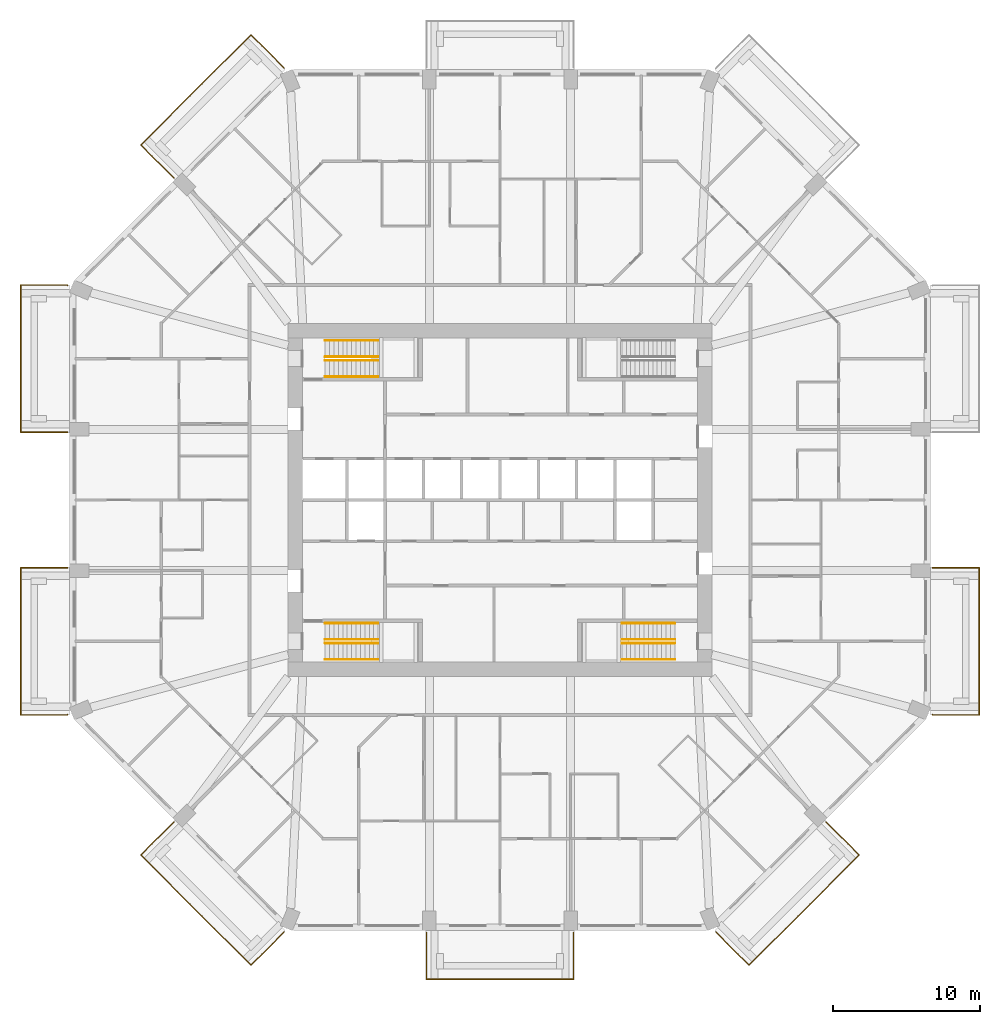
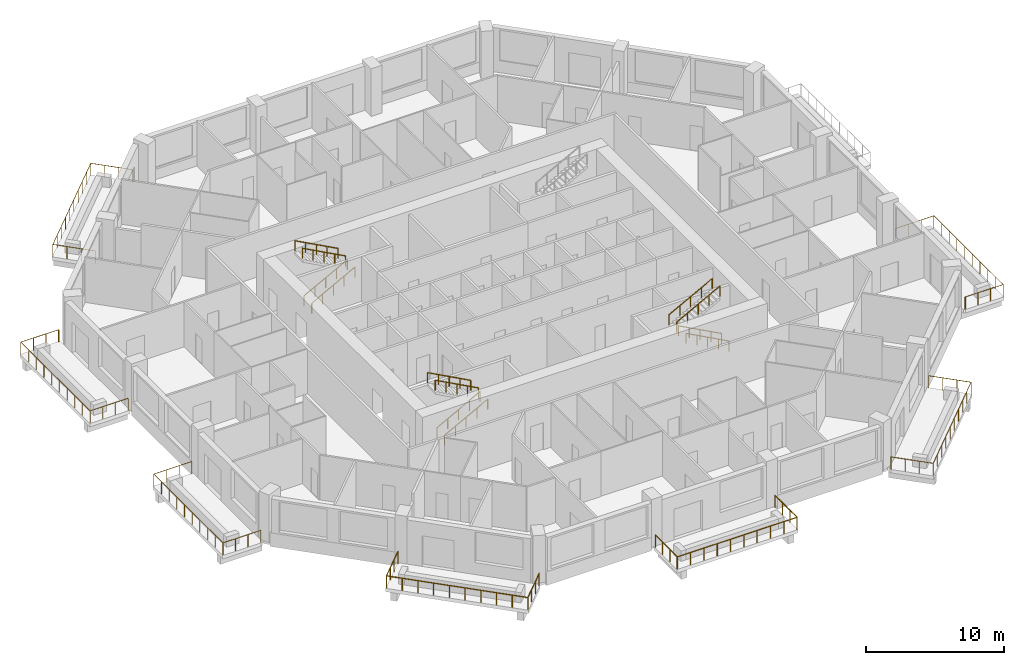
# One storey, part 12 of 13: 19 railings.
"""IFC4 building model written with IfcOpenShell, lengths in metres."""

from ifc_helpers import new_model, si_unit, direction, frame, origin, origin_2d, place, context, subcontext, project, spatial, circle, extrude, material, constituent, constituent_set, type_object, element, save


model = new_model("IFC4")

# Units and contexts
model_context = context("Model", 3, precision=1e-05, world=origin(), true_north=direction((0.0, 1.0)))
body_context = subcontext(model_context, "Body", "Model", "MODEL_VIEW")
ifc_project = project(units=[si_unit("LENGTHUNIT", "METRE"), si_unit("AREAUNIT", "SQUARE_METRE"), si_unit("VOLUMEUNIT", "CUBIC_METRE"), si_unit("PLANEANGLEUNIT", "RADIAN"), si_unit("MASSUNIT", "GRAM", prefix="KILO")], contexts=[model_context])

# Site, building, storey
site_placement = place(None, origin())
site = spatial("IfcSite", under=ifc_project, at=site_placement, CompositionType="ELEMENT")
building_placement = place(site_placement, origin())
building = spatial("IfcBuilding", under=site, at=building_placement, Name="Msitu Wima Residences", CompositionType="ELEMENT")
storey_placement = place(building_placement, frame((0.0, 0.0, 29.699951171875)))
storey = spatial("IfcBuildingStorey", under=building, at=storey_placement, Name="L06", CompositionType="ELEMENT", Elevation=29.699951171875)

# Railings
ifc_material_1 = material(Name="Steel S355", Category="steel")
ifc_constituent_1 = constituent(ifc_material_1, Name="Steel S355")
ifc_material_2 = material(Name="Weathering patina")
ifc_constituent_2 = constituent(ifc_material_2, Name="Weathering patina")
ifc_constituent_set_1 = constituent_set(constituents=[ifc_constituent_1, ifc_constituent_2], Name="Steel S355")
railing_type_1 = type_object("IfcRailingType", Name="Balcony guard GR1100", PredefinedType="GUARDRAIL", material=ifc_constituent_set_1)
railing_1_placement = place(storey_placement, frame((29.3798828125, -4.60009765625, 0.0)))
element("IfcRailing", 1, at=railing_1_placement, inside=storey, type_object=railing_type_1, Name="Balcony guard E0 L06", PredefinedType="GUARDRAIL", context=body_context, shape_type="SweptSolid", body=[
    extrude(circle(Radius=0.02392578125, at=origin_2d()), frame((0.0, 0.0, 1.076171875), z_axis=(1.0, 0.0, 0.0), x_axis=(0.0, 1.0, 0.0)), (0.0, 0.0, 1.0), 3.170166015625),
    extrude(circle(Radius=0.02392578125, at=origin_2d()), frame((3.170166015625, 0.0, 1.076171875), z_axis=(0.0, -1.0, 0.0), x_axis=(1.0, 0.0, 0.0)), (0.0, 0.0, 1.0), 10.0),
    extrude(circle(Radius=0.02392578125, at=origin_2d()), frame((3.170166015625, -10.0, 1.076171875), z_axis=(-1.0, 0.0, 0.0), x_axis=(0.0, -1.0, 0.0)), (0.0, 0.0, 1.0), 3.136474609375),
    extrude(circle(Radius=0.02392578125, at=origin_2d()), frame((0.03369140625, -10.0, 1.076171875), z_axis=(-0.92426142649, 0.38176015442, 0.0), x_axis=(-0.38176015442, -0.92426142649, 0.0)), (0.0, 0.0, 1.0), 0.036376953125),
    extrude(circle(Radius=0.02099609375, at=origin_2d()), origin(), (0.0, 0.0, 1.0), 1.052001953125),
    extrude(circle(Radius=0.02099609375, at=origin_2d()), frame((1.056640625, 0.0, 0.0)), (0.0, 0.0, 1.0), 1.052001953125),
    extrude(circle(Radius=0.02099609375, at=origin_2d()), frame((2.113525390625, 0.0, 0.0)), (0.0, 0.0, 1.0), 1.052001953125),
    extrude(circle(Radius=0.02099609375, at=origin_2d()), frame((3.170166015625, 0.0, 0.0)), (0.0, 0.0, 1.0), 1.052001953125),
    extrude(circle(Radius=0.02099609375, at=origin_2d()), frame((3.170166015625, -1.111083984375, 0.0)), (0.0, 0.0, 1.0), 1.052001953125),
    extrude(circle(Radius=0.02099609375, at=origin_2d()), frame((3.170166015625, -2.22216796875, 0.0)), (0.0, 0.0, 1.0), 1.052001953125),
    extrude(circle(Radius=0.02099609375, at=origin_2d()), frame((3.170166015625, -3.333251953125, 0.0)), (0.0, 0.0, 1.0), 1.052001953125),
    extrude(circle(Radius=0.02099609375, at=origin_2d()), frame((3.170166015625, -4.4443359375, 0.0)), (0.0, 0.0, 1.0), 1.052001953125),
    extrude(circle(Radius=0.02099609375, at=origin_2d()), frame((3.170166015625, -5.5556640625, 0.0)), (0.0, 0.0, 1.0), 1.052001953125),
    extrude(circle(Radius=0.02099609375, at=origin_2d()), frame((3.170166015625, -6.666748046875, 0.0)), (0.0, 0.0, 1.0), 1.052001953125),
    extrude(circle(Radius=0.02099609375, at=origin_2d()), frame((3.170166015625, -7.77783203125, 0.0)), (0.0, 0.0, 1.0), 1.052001953125),
    extrude(circle(Radius=0.02099609375, at=origin_2d()), frame((3.170166015625, -8.888916015625, 0.0)), (0.0, 0.0, 1.0), 1.052001953125),
    extrude(circle(Radius=0.02099609375, at=origin_2d()), frame((3.170166015625, -10.0, 0.0)), (0.0, 0.0, 1.0), 1.052001953125),
    extrude(circle(Radius=0.02099609375, at=origin_2d()), frame((2.124755859375, -10.0, 0.0)), (0.0, 0.0, 1.0), 1.052001953125),
    extrude(circle(Radius=0.02099609375, at=origin_2d()), frame((1.0791015625, -10.0, 0.0)), (0.0, 0.0, 1.0), 1.052001953125),
    extrude(circle(Radius=0.02099609375, at=origin_2d()), frame((0.03369140625, -10.0, 0.0)), (0.0, 0.0, 1.0), 1.052001953125),
    extrude(circle(Radius=0.02099609375, at=origin_2d()), frame((0.0, -9.986083984375, 0.0)), (0.0, 0.0, 1.0), 1.052001953125),
])
railing_2_placement = place(storey_placement, frame((-22.151611328125, 21.86865234375, 0.0)))
element("IfcRailing", 2, at=railing_2_placement, inside=storey, type_object=railing_type_1, Name="Balcony guard NW0 L06", PredefinedType="GUARDRAIL", context=body_context, shape_type="SweptSolid", body=[
    extrude(circle(Radius=0.02392578125, at=origin_2d()), frame((0.0, 0.0, 1.076171875), z_axis=(-0.707068272989, 0.707145287287, 0.0), x_axis=(-0.707145287287, -0.707068272989, 0.0)), (0.0, 0.0, 1.0), 3.170166015625),
    extrude(circle(Radius=0.02392578125, at=origin_2d()), frame((-2.241455078125, 2.24169921875, 1.076171875), z_axis=(0.707118316465, 0.70709524572, 0.0), x_axis=(-0.70709524572, 0.707118316465, 0.0)), (0.0, 0.0, 1.0), 10.582275390625),
    extrude(circle(Radius=0.02392578125, at=origin_2d()), frame((5.241455078125, 9.724365234375, 1.076171875), z_axis=(0.707106781187, -0.707106781187, 0.0), x_axis=(0.707106781187, 0.707106781187, 0.0)), (0.0, 0.0, 1.0), 3.136474609375),
    extrude(circle(Radius=0.02392578125, at=origin_2d()), frame((7.459228515625, 7.506591796875, 1.076171875), z_axis=(0.384136806859, -0.923276184907, 0.0), x_axis=(0.923276184907, 0.384136806859, 0.0)), (0.0, 0.0, 1.0), 0.0361328125),
    extrude(circle(Radius=0.02099609375, at=origin_2d()), origin(), (0.0, 0.0, 1.0), 1.052001953125),
    extrude(circle(Radius=0.02099609375, at=origin_2d()), frame((-0.7470703125, 0.747314453125, 0.0)), (0.0, 0.0, 1.0), 1.052001953125),
    extrude(circle(Radius=0.02099609375, at=origin_2d()), frame((-1.494384765625, 1.494384765625, 0.0)), (0.0, 0.0, 1.0), 1.052001953125),
    extrude(circle(Radius=0.02099609375, at=origin_2d()), frame((-2.241455078125, 2.24169921875, 0.0)), (0.0, 0.0, 1.0), 1.052001953125),
    extrude(circle(Radius=0.02099609375, at=origin_2d()), frame((-1.409912109375, 3.072998046875, 0.0)), (0.0, 0.0, 1.0), 1.052001953125),
    extrude(circle(Radius=0.02099609375, at=origin_2d()), frame((-0.57861328125, 3.904541015625, 0.0)), (0.0, 0.0, 1.0), 1.052001953125),
    extrude(circle(Radius=0.02099609375, at=origin_2d()), frame((0.2529296875, 4.73583984375, 0.0)), (0.0, 0.0, 1.0), 1.052001953125),
    extrude(circle(Radius=0.02099609375, at=origin_2d()), frame((1.084228515625, 5.5673828125, 0.0)), (0.0, 0.0, 1.0), 1.052001953125),
    extrude(circle(Radius=0.02099609375, at=origin_2d()), frame((1.915771484375, 6.398681640625, 0.0)), (0.0, 0.0, 1.0), 1.052001953125),
    extrude(circle(Radius=0.02099609375, at=origin_2d()), frame((2.7470703125, 7.230224609375, 0.0)), (0.0, 0.0, 1.0), 1.052001953125),
    extrude(circle(Radius=0.02099609375, at=origin_2d()), frame((3.57861328125, 8.0615234375, 0.0)), (0.0, 0.0, 1.0), 1.052001953125),
    extrude(circle(Radius=0.02099609375, at=origin_2d()), frame((4.409912109375, 8.89306640625, 0.0)), (0.0, 0.0, 1.0), 1.052001953125),
    extrude(circle(Radius=0.02099609375, at=origin_2d()), frame((5.241455078125, 9.724365234375, 0.0)), (0.0, 0.0, 1.0), 1.052001953125),
    extrude(circle(Radius=0.02099609375, at=origin_2d()), frame((5.980712890625, 8.985107421875, 0.0)), (0.0, 0.0, 1.0), 1.052001953125),
    extrude(circle(Radius=0.02099609375, at=origin_2d()), frame((6.719970703125, 8.245849609375, 0.0)), (0.0, 0.0, 1.0), 1.052001953125),
    extrude(circle(Radius=0.02099609375, at=origin_2d()), frame((7.459228515625, 7.506591796875, 0.0)), (0.0, 0.0, 1.0), 1.052001953125),
    extrude(circle(Radius=0.02099609375, at=origin_2d()), frame((7.47314453125, 7.47314453125, 0.0)), (0.0, 0.0, 1.0), 1.052001953125),
])
railing_3_placement = place(storey_placement, frame((-29.3798828125, 4.60009765625, 0.0)))
element("IfcRailing", 3, at=railing_3_placement, inside=storey, type_object=railing_type_1, Name="Balcony guard W0 L06", PredefinedType="GUARDRAIL", context=body_context, shape_type="SweptSolid", body=[
    extrude(circle(Radius=0.02392578125, at=origin_2d()), frame((0.0, 0.0, 1.076171875), z_axis=(-1.0, 0.0, 0.0), x_axis=(0.0, -1.0, 0.0)), (0.0, 0.0, 1.0), 3.170166015625),
    extrude(circle(Radius=0.02392578125, at=origin_2d()), frame((-3.170166015625, 0.0, 1.076171875), z_axis=(0.0, 1.0, 0.0), x_axis=(-1.0, 0.0, 0.0)), (0.0, 0.0, 1.0), 10.0),
    extrude(circle(Radius=0.02392578125, at=origin_2d()), frame((-3.170166015625, 10.0, 1.076171875), z_axis=(1.0, 0.0, 0.0), x_axis=(0.0, 1.0, 0.0)), (0.0, 0.0, 1.0), 3.136474609375),
    extrude(circle(Radius=0.02392578125, at=origin_2d()), frame((-0.03369140625, 10.0, 1.076171875), z_axis=(0.92426142649, -0.38176015442, 0.0), x_axis=(0.38176015442, 0.92426142649, 0.0)), (0.0, 0.0, 1.0), 0.036376953125),
    extrude(circle(Radius=0.02099609375, at=origin_2d()), origin(), (0.0, 0.0, 1.0), 1.052001953125),
    extrude(circle(Radius=0.02099609375, at=origin_2d()), frame((-1.056640625, 0.0, 0.0)), (0.0, 0.0, 1.0), 1.052001953125),
    extrude(circle(Radius=0.02099609375, at=origin_2d()), frame((-2.113525390625, 0.0, 0.0)), (0.0, 0.0, 1.0), 1.052001953125),
    extrude(circle(Radius=0.02099609375, at=origin_2d()), frame((-3.170166015625, 0.0, 0.0)), (0.0, 0.0, 1.0), 1.052001953125),
    extrude(circle(Radius=0.02099609375, at=origin_2d()), frame((-3.170166015625, 1.111083984375, 0.0)), (0.0, 0.0, 1.0), 1.052001953125),
    extrude(circle(Radius=0.02099609375, at=origin_2d()), frame((-3.170166015625, 2.22216796875, 0.0)), (0.0, 0.0, 1.0), 1.052001953125),
    extrude(circle(Radius=0.02099609375, at=origin_2d()), frame((-3.170166015625, 3.333251953125, 0.0)), (0.0, 0.0, 1.0), 1.052001953125),
    extrude(circle(Radius=0.02099609375, at=origin_2d()), frame((-3.170166015625, 4.4443359375, 0.0)), (0.0, 0.0, 1.0), 1.052001953125),
    extrude(circle(Radius=0.02099609375, at=origin_2d()), frame((-3.170166015625, 5.5556640625, 0.0)), (0.0, 0.0, 1.0), 1.052001953125),
    extrude(circle(Radius=0.02099609375, at=origin_2d()), frame((-3.170166015625, 6.666748046875, 0.0)), (0.0, 0.0, 1.0), 1.052001953125),
    extrude(circle(Radius=0.02099609375, at=origin_2d()), frame((-3.170166015625, 7.77783203125, 0.0)), (0.0, 0.0, 1.0), 1.052001953125),
    extrude(circle(Radius=0.02099609375, at=origin_2d()), frame((-3.170166015625, 8.888916015625, 0.0)), (0.0, 0.0, 1.0), 1.052001953125),
    extrude(circle(Radius=0.02099609375, at=origin_2d()), frame((-3.170166015625, 10.0, 0.0)), (0.0, 0.0, 1.0), 1.052001953125),
    extrude(circle(Radius=0.02099609375, at=origin_2d()), frame((-2.124755859375, 10.0, 0.0)), (0.0, 0.0, 1.0), 1.052001953125),
    extrude(circle(Radius=0.02099609375, at=origin_2d()), frame((-1.0791015625, 10.0, 0.0)), (0.0, 0.0, 1.0), 1.052001953125),
    extrude(circle(Radius=0.02099609375, at=origin_2d()), frame((-0.03369140625, 10.0, 0.0)), (0.0, 0.0, 1.0), 1.052001953125),
    extrude(circle(Radius=0.02099609375, at=origin_2d()), frame((0.0, 9.986083984375, 0.0)), (0.0, 0.0, 1.0), 1.052001953125),
])
railing_4_placement = place(storey_placement, frame((-29.3798828125, -14.586181640625, 0.0)))
element("IfcRailing", 4, at=railing_4_placement, inside=storey, type_object=railing_type_1, Name="Balcony guard W2 L06", PredefinedType="GUARDRAIL", context=body_context, shape_type="SweptSolid", body=[
    extrude(circle(Radius=0.02392578125, at=origin_2d()), frame((0.0, 0.0, 1.076171875), z_axis=(-0.92426142649, -0.38176015442, 0.0), x_axis=(0.38176015442, -0.92426142649, 0.0)), (0.0, 0.0, 1.0), 0.036376953125),
    extrude(circle(Radius=0.02392578125, at=origin_2d()), frame((-0.03369140625, -0.013916015625, 1.076171875), z_axis=(-1.0, 0.0, 0.0), x_axis=(0.0, -1.0, 0.0)), (0.0, 0.0, 1.0), 3.136474609375),
    extrude(circle(Radius=0.02392578125, at=origin_2d()), frame((-3.170166015625, -0.013916015625, 1.076171875), z_axis=(0.0, 1.0, 0.0), x_axis=(-1.0, 0.0, 0.0)), (0.0, 0.0, 1.0), 10.0),
    extrude(circle(Radius=0.02392578125, at=origin_2d()), frame((-3.170166015625, 9.986083984375, 1.076171875), z_axis=(1.0, 0.0, 0.0), x_axis=(0.0, 1.0, 0.0)), (0.0, 0.0, 1.0), 3.170166015625),
    extrude(circle(Radius=0.02099609375, at=origin_2d()), origin(), (0.0, 0.0, 1.0), 1.052001953125),
    extrude(circle(Radius=0.02099609375, at=origin_2d()), frame((-0.03369140625, -0.013916015625, 0.0)), (0.0, 0.0, 1.0), 1.052001953125),
    extrude(circle(Radius=0.02099609375, at=origin_2d()), frame((-1.0791015625, -0.013916015625, 0.0)), (0.0, 0.0, 1.0), 1.052001953125),
    extrude(circle(Radius=0.02099609375, at=origin_2d()), frame((-2.124755859375, -0.013916015625, 0.0)), (0.0, 0.0, 1.0), 1.052001953125),
    extrude(circle(Radius=0.02099609375, at=origin_2d()), frame((-3.170166015625, -0.013916015625, 0.0)), (0.0, 0.0, 1.0), 1.052001953125),
    extrude(circle(Radius=0.02099609375, at=origin_2d()), frame((-3.170166015625, 1.09716796875, 0.0)), (0.0, 0.0, 1.0), 1.052001953125),
    extrude(circle(Radius=0.02099609375, at=origin_2d()), frame((-3.170166015625, 2.208251953125, 0.0)), (0.0, 0.0, 1.0), 1.052001953125),
    extrude(circle(Radius=0.02099609375, at=origin_2d()), frame((-3.170166015625, 3.3193359375, 0.0)), (0.0, 0.0, 1.0), 1.052001953125),
    extrude(circle(Radius=0.02099609375, at=origin_2d()), frame((-3.170166015625, 4.430419921875, 0.0)), (0.0, 0.0, 1.0), 1.052001953125),
    extrude(circle(Radius=0.02099609375, at=origin_2d()), frame((-3.170166015625, 5.541748046875, 0.0)), (0.0, 0.0, 1.0), 1.052001953125),
    extrude(circle(Radius=0.02099609375, at=origin_2d()), frame((-3.170166015625, 6.65283203125, 0.0)), (0.0, 0.0, 1.0), 1.052001953125),
    extrude(circle(Radius=0.02099609375, at=origin_2d()), frame((-3.170166015625, 7.763916015625, 0.0)), (0.0, 0.0, 1.0), 1.052001953125),
    extrude(circle(Radius=0.02099609375, at=origin_2d()), frame((-3.170166015625, 8.875, 0.0)), (0.0, 0.0, 1.0), 1.052001953125),
    extrude(circle(Radius=0.02099609375, at=origin_2d()), frame((-3.170166015625, 9.986083984375, 0.0)), (0.0, 0.0, 1.0), 1.052001953125),
    extrude(circle(Radius=0.02099609375, at=origin_2d()), frame((-2.113525390625, 9.986083984375, 0.0)), (0.0, 0.0, 1.0), 1.052001953125),
    extrude(circle(Radius=0.02099609375, at=origin_2d()), frame((-1.056640625, 9.986083984375, 0.0)), (0.0, 0.0, 1.0), 1.052001953125),
    extrude(circle(Radius=0.02099609375, at=origin_2d()), frame((0.0, 9.986083984375, 0.0)), (0.0, 0.0, 1.0), 1.052001953125),
])
railing_5_placement = place(storey_placement, frame((-14.678466796875, -29.341796875, 0.0)))
element("IfcRailing", 5, at=railing_5_placement, inside=storey, type_object=railing_type_1, Name="Balcony guard SW1 L06", PredefinedType="GUARDRAIL", context=body_context, shape_type="SweptSolid", body=[
    extrude(circle(Radius=0.02392578125, at=origin_2d()), frame((0.0, 0.0, 1.076171875), z_axis=(-0.384136806859, -0.923276184907, 0.0), x_axis=(0.923276184907, -0.384136806859, 0.0)), (0.0, 0.0, 1.0), 0.0361328125),
    extrude(circle(Radius=0.02392578125, at=origin_2d()), frame((-0.013916015625, -0.033447265625, 1.076171875), z_axis=(-0.707106781187, -0.707106781187, 0.0), x_axis=(0.707106781187, -0.707106781187, 0.0)), (0.0, 0.0, 1.0), 3.136474609375),
    extrude(circle(Radius=0.02392578125, at=origin_2d()), frame((-2.231689453125, -2.251220703125, 1.076171875), z_axis=(-0.707118316465, 0.70709524572, 0.0), x_axis=(-0.70709524572, -0.707118316465, 0.0)), (0.0, 0.0, 1.0), 10.582275390625),
    extrude(circle(Radius=0.02392578125, at=origin_2d()), frame((-9.714599609375, 5.2314453125, 1.076171875), z_axis=(0.707068272989, 0.707145287287, 0.0), x_axis=(-0.707145287287, 0.707068272989, 0.0)), (0.0, 0.0, 1.0), 3.170166015625),
    extrude(circle(Radius=0.02099609375, at=origin_2d()), origin(), (0.0, 0.0, 1.0), 1.052001953125),
    extrude(circle(Radius=0.02099609375, at=origin_2d()), frame((-0.013916015625, -0.033447265625, 0.0)), (0.0, 0.0, 1.0), 1.052001953125),
    extrude(circle(Radius=0.02099609375, at=origin_2d()), frame((-0.753173828125, -0.772705078125, 0.0)), (0.0, 0.0, 1.0), 1.052001953125),
    extrude(circle(Radius=0.02099609375, at=origin_2d()), frame((-1.492431640625, -1.511962890625, 0.0)), (0.0, 0.0, 1.0), 1.052001953125),
    extrude(circle(Radius=0.02099609375, at=origin_2d()), frame((-2.231689453125, -2.251220703125, 0.0)), (0.0, 0.0, 1.0), 1.052001953125),
    extrude(circle(Radius=0.02099609375, at=origin_2d()), frame((-3.063232421875, -1.419921875, 0.0)), (0.0, 0.0, 1.0), 1.052001953125),
    extrude(circle(Radius=0.02099609375, at=origin_2d()), frame((-3.89453125, -0.58837890625, 0.0)), (0.0, 0.0, 1.0), 1.052001953125),
    extrude(circle(Radius=0.02099609375, at=origin_2d()), frame((-4.72607421875, 0.242919921875, 0.0)), (0.0, 0.0, 1.0), 1.052001953125),
    extrude(circle(Radius=0.02099609375, at=origin_2d()), frame((-5.557373046875, 1.074462890625, 0.0)), (0.0, 0.0, 1.0), 1.052001953125),
    extrude(circle(Radius=0.02099609375, at=origin_2d()), frame((-6.388916015625, 1.90576171875, 0.0)), (0.0, 0.0, 1.0), 1.052001953125),
    extrude(circle(Radius=0.02099609375, at=origin_2d()), frame((-7.22021484375, 2.7373046875, 0.0)), (0.0, 0.0, 1.0), 1.052001953125),
    extrude(circle(Radius=0.02099609375, at=origin_2d()), frame((-8.0517578125, 3.568603515625, 0.0)), (0.0, 0.0, 1.0), 1.052001953125),
    extrude(circle(Radius=0.02099609375, at=origin_2d()), frame((-8.883056640625, 4.400146484375, 0.0)), (0.0, 0.0, 1.0), 1.052001953125),
    extrude(circle(Radius=0.02099609375, at=origin_2d()), frame((-9.714599609375, 5.2314453125, 0.0)), (0.0, 0.0, 1.0), 1.052001953125),
    extrude(circle(Radius=0.02099609375, at=origin_2d()), frame((-8.967529296875, 5.978759765625, 0.0)), (0.0, 0.0, 1.0), 1.052001953125),
    extrude(circle(Radius=0.02099609375, at=origin_2d()), frame((-8.22021484375, 6.725830078125, 0.0)), (0.0, 0.0, 1.0), 1.052001953125),
    extrude(circle(Radius=0.02099609375, at=origin_2d()), frame((-7.47314453125, 7.47314453125, 0.0)), (0.0, 0.0, 1.0), 1.052001953125),
])
railing_6_placement = place(storey_placement, frame((5.0, -29.3798828125, 0.0)))
element("IfcRailing", 6, at=railing_6_placement, inside=storey, type_object=railing_type_1, Name="Balcony guard S1 L06", PredefinedType="GUARDRAIL", context=body_context, shape_type="SweptSolid", body=[
    extrude(circle(Radius=0.02392578125, at=origin_2d()), frame((0.0, 0.0, 1.076171875), z_axis=(0.0, -1.0, 0.0), x_axis=(1.0, 0.0, 0.0)), (0.0, 0.0, 1.0), 3.170166015625),
    extrude(circle(Radius=0.02392578125, at=origin_2d()), frame((0.0, -3.170166015625, 1.076171875), z_axis=(-1.0, 0.0, 0.0), x_axis=(0.0, -1.0, 0.0)), (0.0, 0.0, 1.0), 10.0),
    extrude(circle(Radius=0.02392578125, at=origin_2d()), frame((-10.0, -3.170166015625, 1.076171875), z_axis=(0.0, 1.0, 0.0), x_axis=(-1.0, 0.0, 0.0)), (0.0, 0.0, 1.0), 3.170166015625),
    extrude(circle(Radius=0.02099609375, at=origin_2d()), origin(), (0.0, 0.0, 1.0), 1.052001953125),
    extrude(circle(Radius=0.02099609375, at=origin_2d()), frame((0.0, -1.056640625, 0.0)), (0.0, 0.0, 1.0), 1.052001953125),
    extrude(circle(Radius=0.02099609375, at=origin_2d()), frame((0.0, -2.113525390625, 0.0)), (0.0, 0.0, 1.0), 1.052001953125),
    extrude(circle(Radius=0.02099609375, at=origin_2d()), frame((0.0, -3.170166015625, 0.0)), (0.0, 0.0, 1.0), 1.052001953125),
    extrude(circle(Radius=0.02099609375, at=origin_2d()), frame((-1.111083984375, -3.170166015625, 0.0)), (0.0, 0.0, 1.0), 1.052001953125),
    extrude(circle(Radius=0.02099609375, at=origin_2d()), frame((-2.22216796875, -3.170166015625, 0.0)), (0.0, 0.0, 1.0), 1.052001953125),
    extrude(circle(Radius=0.02099609375, at=origin_2d()), frame((-3.333251953125, -3.170166015625, 0.0)), (0.0, 0.0, 1.0), 1.052001953125),
    extrude(circle(Radius=0.02099609375, at=origin_2d()), frame((-4.4443359375, -3.170166015625, 0.0)), (0.0, 0.0, 1.0), 1.052001953125),
    extrude(circle(Radius=0.02099609375, at=origin_2d()), frame((-5.5556640625, -3.170166015625, 0.0)), (0.0, 0.0, 1.0), 1.052001953125),
    extrude(circle(Radius=0.02099609375, at=origin_2d()), frame((-6.666748046875, -3.170166015625, 0.0)), (0.0, 0.0, 1.0), 1.052001953125),
    extrude(circle(Radius=0.02099609375, at=origin_2d()), frame((-7.77783203125, -3.170166015625, 0.0)), (0.0, 0.0, 1.0), 1.052001953125),
    extrude(circle(Radius=0.02099609375, at=origin_2d()), frame((-8.888916015625, -3.170166015625, 0.0)), (0.0, 0.0, 1.0), 1.052001953125),
    extrude(circle(Radius=0.02099609375, at=origin_2d()), frame((-10.0, -3.170166015625, 0.0)), (0.0, 0.0, 1.0), 1.052001953125),
    extrude(circle(Radius=0.02099609375, at=origin_2d()), frame((-10.0, -2.113525390625, 0.0)), (0.0, 0.0, 1.0), 1.052001953125),
    extrude(circle(Radius=0.02099609375, at=origin_2d()), frame((-10.0, -1.056640625, 0.0)), (0.0, 0.0, 1.0), 1.052001953125),
    extrude(circle(Radius=0.02099609375, at=origin_2d()), frame((-10.0, 0.0, 0.0)), (0.0, 0.0, 1.0), 1.052001953125),
])
railing_7_placement = place(storey_placement, frame((22.151611328125, -21.86865234375, 0.0)))
element("IfcRailing", 7, at=railing_7_placement, inside=storey, type_object=railing_type_1, Name="Balcony guard SE0 L06", PredefinedType="GUARDRAIL", context=body_context, shape_type="SweptSolid", body=[
    extrude(circle(Radius=0.02392578125, at=origin_2d()), frame((0.0, 0.0, 1.076171875), z_axis=(0.707068272989, -0.707145287287, 0.0), x_axis=(0.707145287287, 0.707068272989, 0.0)), (0.0, 0.0, 1.0), 3.170166015625),
    extrude(circle(Radius=0.02392578125, at=origin_2d()), frame((2.241455078125, -2.24169921875, 1.076171875), z_axis=(-0.707118316465, -0.70709524572, 0.0), x_axis=(0.70709524572, -0.707118316465, 0.0)), (0.0, 0.0, 1.0), 10.582275390625),
    extrude(circle(Radius=0.02392578125, at=origin_2d()), frame((-5.241455078125, -9.724365234375, 1.076171875), z_axis=(-0.707106781187, 0.707106781187, 0.0), x_axis=(-0.707106781187, -0.707106781187, 0.0)), (0.0, 0.0, 1.0), 3.136474609375),
    extrude(circle(Radius=0.02392578125, at=origin_2d()), frame((-7.459228515625, -7.506591796875, 1.076171875), z_axis=(-0.384136806859, 0.923276184907, 0.0), x_axis=(-0.923276184907, -0.384136806859, 0.0)), (0.0, 0.0, 1.0), 0.0361328125),
    extrude(circle(Radius=0.02099609375, at=origin_2d()), origin(), (0.0, 0.0, 1.0), 1.052001953125),
    extrude(circle(Radius=0.02099609375, at=origin_2d()), frame((0.7470703125, -0.747314453125, 0.0)), (0.0, 0.0, 1.0), 1.052001953125),
    extrude(circle(Radius=0.02099609375, at=origin_2d()), frame((1.494384765625, -1.494384765625, 0.0)), (0.0, 0.0, 1.0), 1.052001953125),
    extrude(circle(Radius=0.02099609375, at=origin_2d()), frame((2.241455078125, -2.24169921875, 0.0)), (0.0, 0.0, 1.0), 1.052001953125),
    extrude(circle(Radius=0.02099609375, at=origin_2d()), frame((1.409912109375, -3.072998046875, 0.0)), (0.0, 0.0, 1.0), 1.052001953125),
    extrude(circle(Radius=0.02099609375, at=origin_2d()), frame((0.57861328125, -3.904541015625, 0.0)), (0.0, 0.0, 1.0), 1.052001953125),
    extrude(circle(Radius=0.02099609375, at=origin_2d()), frame((-0.2529296875, -4.73583984375, 0.0)), (0.0, 0.0, 1.0), 1.052001953125),
    extrude(circle(Radius=0.02099609375, at=origin_2d()), frame((-1.084228515625, -5.5673828125, 0.0)), (0.0, 0.0, 1.0), 1.052001953125),
    extrude(circle(Radius=0.02099609375, at=origin_2d()), frame((-1.915771484375, -6.398681640625, 0.0)), (0.0, 0.0, 1.0), 1.052001953125),
    extrude(circle(Radius=0.02099609375, at=origin_2d()), frame((-2.7470703125, -7.230224609375, 0.0)), (0.0, 0.0, 1.0), 1.052001953125),
    extrude(circle(Radius=0.02099609375, at=origin_2d()), frame((-3.57861328125, -8.0615234375, 0.0)), (0.0, 0.0, 1.0), 1.052001953125),
    extrude(circle(Radius=0.02099609375, at=origin_2d()), frame((-4.409912109375, -8.89306640625, 0.0)), (0.0, 0.0, 1.0), 1.052001953125),
    extrude(circle(Radius=0.02099609375, at=origin_2d()), frame((-5.241455078125, -9.724365234375, 0.0)), (0.0, 0.0, 1.0), 1.052001953125),
    extrude(circle(Radius=0.02099609375, at=origin_2d()), frame((-5.980712890625, -8.985107421875, 0.0)), (0.0, 0.0, 1.0), 1.052001953125),
    extrude(circle(Radius=0.02099609375, at=origin_2d()), frame((-6.719970703125, -8.245849609375, 0.0)), (0.0, 0.0, 1.0), 1.052001953125),
    extrude(circle(Radius=0.02099609375, at=origin_2d()), frame((-7.459228515625, -7.506591796875, 0.0)), (0.0, 0.0, 1.0), 1.052001953125),
    extrude(circle(Radius=0.02099609375, at=origin_2d()), frame((-7.47314453125, -7.47314453125, 0.0)), (0.0, 0.0, 1.0), 1.052001953125),
])
ifc_constituent_3 = constituent(ifc_material_1, Name="Steel S355")
ifc_material_3 = material(Name="Black powder coating")
ifc_constituent_4 = constituent(ifc_material_3, Name="Black powder coating")
ifc_constituent_set_2 = constituent_set(constituents=[ifc_constituent_3, ifc_constituent_4], Name="Steel S355")
railing_type_2 = type_object("IfcRailingType", Name="Stair handrail HR1", PredefinedType="HANDRAIL", material=ifc_constituent_set_2)
for number, where, name in (
    (8, (-11.875, 8.375, 0.16162109375), "Stair 1 handrail"),
    (9, (-11.875, 9.47509765625, 0.16162109375), "Stair 1 handrail"),
):
    element("IfcRailing", number, at=place(storey_placement, frame(where)), inside=storey, type_object=railing_type_2, Name=name, PredefinedType="HANDRAIL", context=body_context, shape_type="SweptSolid", body=[
        extrude(circle(Radius=0.02392578125, at=origin_2d()), frame((0.0, 0.0, 0.8759765625), z_axis=(0.880474934443, 0.0, 0.474092701714), x_axis=(0.0, 1.0, 0.0)), (0.0, 0.0, 1.0), 4.0888671875),
        extrude(circle(Radius=0.02099609375, at=origin_2d()), origin(), (0.0, 0.0, 1.0), 0.851806640625),
        extrude(circle(Radius=0.02099609375, at=origin_2d()), frame((0.89990234375, 0.0, 0.484619140625)), (0.0, 0.0, 1.0), 0.851806640625),
        extrude(circle(Radius=0.02099609375, at=origin_2d()), frame((1.800048828125, 0.0, 0.96923828125)), (0.0, 0.0, 1.0), 0.851806640625),
        extrude(circle(Radius=0.02099609375, at=origin_2d()), frame((2.7001953125, 0.0, 1.453857421875)), (0.0, 0.0, 1.0), 0.851806640625),
        extrude(circle(Radius=0.02099609375, at=origin_2d()), frame((3.60009765625, 0.0, 1.9384765625)), (0.0, 0.0, 1.0), 0.851806640625),
    ])
for number, where, name in (
    (10, (-8.27490234375, 9.72509765625, 2.261474609375), "Stair 1 handrail"),
    (11, (-8.27490234375, 10.824951171875, 2.261474609375), "Stair 1 handrail"),
):
    element("IfcRailing", number, at=place(storey_placement, frame(where)), inside=storey, type_object=railing_type_2, Name=name, PredefinedType="HANDRAIL", context=body_context, shape_type="SweptSolid", body=[
        extrude(circle(Radius=0.02392578125, at=origin_2d()), frame((0.0, 0.0, 0.8759765625), z_axis=(-0.880474934443, 0.0, 0.474092701714), x_axis=(0.0, -1.0, 0.0)), (0.0, 0.0, 1.0), 4.0888671875),
        extrude(circle(Radius=0.02099609375, at=origin_2d()), origin(), (0.0, 0.0, 1.0), 0.851806640625),
        extrude(circle(Radius=0.02099609375, at=origin_2d()), frame((-0.89990234375, 0.0, 0.484619140625)), (0.0, 0.0, 1.0), 0.851806640625),
        extrude(circle(Radius=0.02099609375, at=origin_2d()), frame((-1.800048828125, 0.0, 0.96923828125)), (0.0, 0.0, 1.0), 0.851806640625),
        extrude(circle(Radius=0.02099609375, at=origin_2d()), frame((-2.7001953125, 0.0, 1.453857421875)), (0.0, 0.0, 1.0), 0.851806640625),
        extrude(circle(Radius=0.02099609375, at=origin_2d()), frame((-3.60009765625, 0.0, 1.9384765625)), (0.0, 0.0, 1.0), 0.851806640625),
    ])
for number, where, name in (
    (12, (-11.875, -10.824951171875, 0.16162109375), "Stair 2 handrail"),
    (13, (-11.875, -9.72509765625, 0.16162109375), "Stair 2 handrail"),
):
    element("IfcRailing", number, at=place(storey_placement, frame(where)), inside=storey, type_object=railing_type_2, Name=name, PredefinedType="HANDRAIL", context=body_context, shape_type="SweptSolid", body=[
        extrude(circle(Radius=0.02392578125, at=origin_2d()), frame((0.0, 0.0, 0.8759765625), z_axis=(0.880474934443, 0.0, 0.474092701714), x_axis=(0.0, 1.0, 0.0)), (0.0, 0.0, 1.0), 4.0888671875),
        extrude(circle(Radius=0.02099609375, at=origin_2d()), origin(), (0.0, 0.0, 1.0), 0.851806640625),
        extrude(circle(Radius=0.02099609375, at=origin_2d()), frame((0.89990234375, 0.0, 0.484619140625)), (0.0, 0.0, 1.0), 0.851806640625),
        extrude(circle(Radius=0.02099609375, at=origin_2d()), frame((1.800048828125, 0.0, 0.96923828125)), (0.0, 0.0, 1.0), 0.851806640625),
        extrude(circle(Radius=0.02099609375, at=origin_2d()), frame((2.7001953125, 0.0, 1.453857421875)), (0.0, 0.0, 1.0), 0.851806640625),
        extrude(circle(Radius=0.02099609375, at=origin_2d()), frame((3.60009765625, 0.0, 1.9384765625)), (0.0, 0.0, 1.0), 0.851806640625),
    ])
for number, where, name in (
    (14, (-8.27490234375, -9.47509765625, 2.261474609375), "Stair 2 handrail"),
    (15, (-8.27490234375, -8.375, 2.261474609375), "Stair 2 handrail"),
    (16, (11.875, -10.824951171875, 0.16162109375), "Stair 4 handrail"),
    (17, (11.875, -9.72509765625, 0.16162109375), "Stair 4 handrail"),
):
    element("IfcRailing", number, at=place(storey_placement, frame(where)), inside=storey, type_object=railing_type_2, Name=name, PredefinedType="HANDRAIL", context=body_context, shape_type="SweptSolid", body=[
        extrude(circle(Radius=0.02392578125, at=origin_2d()), frame((0.0, 0.0, 0.8759765625), z_axis=(-0.880474934443, 0.0, 0.474092701714), x_axis=(0.0, -1.0, 0.0)), (0.0, 0.0, 1.0), 4.0888671875),
        extrude(circle(Radius=0.02099609375, at=origin_2d()), origin(), (0.0, 0.0, 1.0), 0.851806640625),
        extrude(circle(Radius=0.02099609375, at=origin_2d()), frame((-0.89990234375, 0.0, 0.484619140625)), (0.0, 0.0, 1.0), 0.851806640625),
        extrude(circle(Radius=0.02099609375, at=origin_2d()), frame((-1.800048828125, 0.0, 0.96923828125)), (0.0, 0.0, 1.0), 0.851806640625),
        extrude(circle(Radius=0.02099609375, at=origin_2d()), frame((-2.7001953125, 0.0, 1.453857421875)), (0.0, 0.0, 1.0), 0.851806640625),
        extrude(circle(Radius=0.02099609375, at=origin_2d()), frame((-3.60009765625, 0.0, 1.9384765625)), (0.0, 0.0, 1.0), 0.851806640625),
    ])
for number, where, name in (
    (18, (8.27490234375, -9.47509765625, 2.261474609375), "Stair 4 handrail"),
    (19, (8.27490234375, -8.375, 2.261474609375), "Stair 4 handrail"),
):
    element("IfcRailing", number, at=place(storey_placement, frame(where)), inside=storey, type_object=railing_type_2, Name=name, PredefinedType="HANDRAIL", context=body_context, shape_type="SweptSolid", body=[
        extrude(circle(Radius=0.02392578125, at=origin_2d()), frame((0.0, 0.0, 0.8759765625), z_axis=(0.880474934443, 0.0, 0.474092701714), x_axis=(0.0, 1.0, 0.0)), (0.0, 0.0, 1.0), 4.0888671875),
        extrude(circle(Radius=0.02099609375, at=origin_2d()), origin(), (0.0, 0.0, 1.0), 0.851806640625),
        extrude(circle(Radius=0.02099609375, at=origin_2d()), frame((0.89990234375, 0.0, 0.484619140625)), (0.0, 0.0, 1.0), 0.851806640625),
        extrude(circle(Radius=0.02099609375, at=origin_2d()), frame((1.800048828125, 0.0, 0.96923828125)), (0.0, 0.0, 1.0), 0.851806640625),
        extrude(circle(Radius=0.02099609375, at=origin_2d()), frame((2.7001953125, 0.0, 1.453857421875)), (0.0, 0.0, 1.0), 0.851806640625),
        extrude(circle(Radius=0.02099609375, at=origin_2d()), frame((3.60009765625, 0.0, 1.9384765625)), (0.0, 0.0, 1.0), 0.851806640625),
    ])

save(model, "model.ifc")
